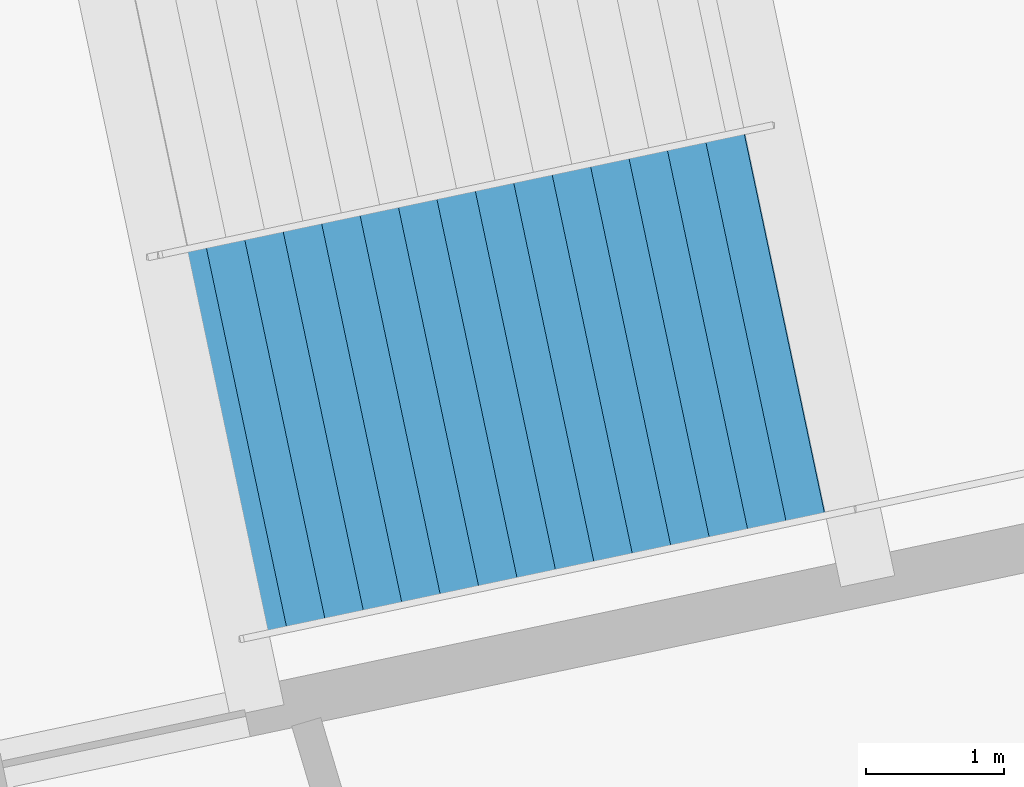
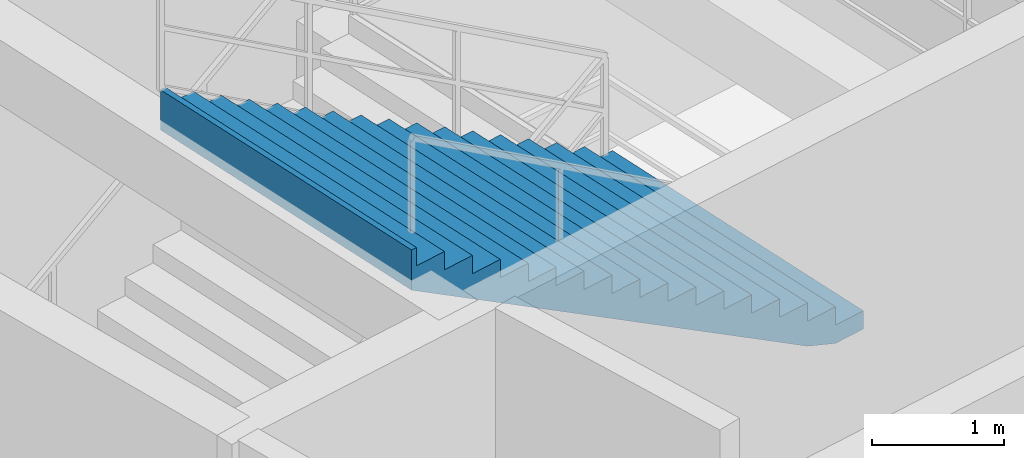
# One storey, part 25 of 48: 1 stair flight, 1 element without a shape of its own.
"""IFC4 building model written with IfcOpenShell, lengths in metres."""

from ifc_helpers import new_model, si_unit, direction, frame, origin, place, context, subcontext, project, spatial, polygons, material, type_object, element, aggregate, save


model = new_model("IFC4")

# Units and contexts
model_context = context("Model", 3, precision=1e-05, world=origin(), true_north=direction((0.0, 1.0)))
body_context = subcontext(model_context, "Body", "Model", "MODEL_VIEW")
ifc_project = project(units=[si_unit("LENGTHUNIT", "METRE"), si_unit("AREAUNIT", "SQUARE_METRE"), si_unit("VOLUMEUNIT", "CUBIC_METRE"), si_unit("PLANEANGLEUNIT", "RADIAN"), si_unit("MASSUNIT", "GRAM", prefix="KILO")], contexts=[model_context])

# Site, building, storey
site_placement = place(None, origin())
site = spatial("IfcSite", under=ifc_project, at=site_placement, CompositionType="ELEMENT")
building_placement = place(site_placement, origin())
building = spatial("IfcBuilding", under=site, at=building_placement, Name="Kazemori Nagisa Stadium", CompositionType="ELEMENT")
storey_placement = place(building_placement, origin())
storey = spatial("IfcBuildingStorey", under=building, at=storey_placement, Name="L00", CompositionType="ELEMENT", Elevation=0.0)

# Stair, stair flight
ifc_material = material(Name="Concrete C36/45 (Fc36)", Category="concrete")
stair_type = type_object("IfcStairType", Name="Stair_CORE_34", PredefinedType="TWO_STRAIGHT_RUN_STAIR", material=ifc_material)
stair_placement = place(storey_placement, origin())
stair = element("IfcStair", 1, at=stair_placement, inside=storey, type_object=stair_type, Name="Exit stair ST06 L00", PredefinedType="TWO_STRAIGHT_RUN_STAIR")
stair_flight_type = type_object("IfcStairFlightType", Name="Flight_CORE_17", PredefinedType="STRAIGHT", material=ifc_material)
stair_flight_placement = place(storey_placement, frame((151.171875, 23.125, 2.889892578125), z_axis=(0.0, 0.0, 1.0), x_axis=(-0.978343656901, -0.206987171104, 0.0)))
stair_flight = element("IfcStairFlight", 2, at=stair_flight_placement, type_object=stair_flight_type, Name="Exit stair ST06 L00 flight 2", NumberOfRisers=17, NumberOfTreads=16, PredefinedType="STRAIGHT", RiserHeight=0.17, TreadLength=0.285, context=body_context, shape_type="Tessellation", body=[
    polygons([(0.0, -1.425048828125, 0.0), (0.0, -1.425048828125, 0.169921875), (0.284912109375, -1.425048828125, 0.169921875), (0.284912109375, -1.425048828125, 0.340087890625), (0.570068359375, -1.425048828125, 0.340087890625), (0.570068359375, -1.425048828125, 0.510009765625), (0.85498046875, -1.425048828125, 0.510009765625), (0.85498046875, -1.425048828125, 0.679931640625), (1.139892578125, -1.425048828125, 0.679931640625), (1.139892578125, -1.425048828125, 0.85009765625), (1.425048828125, -1.425048828125, 0.85009765625), (1.425048828125, -1.425048828125, 1.02001953125), (1.7099609375, -1.425048828125, 1.02001953125), (1.7099609375, -1.425048828125, 1.18994140625), (1.9951171875, -1.425048828125, 1.18994140625), (1.9951171875, -1.425048828125, 1.360107421875), (2.280029296875, -1.425048828125, 1.360107421875), (2.280029296875, -1.425048828125, 1.530029296875), (2.56494140625, -1.425048828125, 1.530029296875), (2.56494140625, -1.425048828125, 1.699951171875), (2.85009765625, -1.425048828125, 1.699951171875), (2.85009765625, -1.425048828125, 1.8701171875), (3.135009765625, -1.425048828125, 1.8701171875), (3.135009765625, -1.425048828125, 2.0400390625), (3.419921875, -1.425048828125, 2.0400390625), (3.419921875, -1.425048828125, 2.2099609375), (3.705078125, -1.425048828125, 2.2099609375), (3.705078125, -1.425048828125, 2.3798828125), (3.989990234375, -1.425048828125, 2.3798828125), (3.989990234375, -1.425048828125, 2.550048828125), (4.27490234375, -1.425048828125, 2.550048828125), (4.27490234375, -1.425048828125, 2.719970703125), (4.56005859375, -1.425048828125, 2.719970703125), (4.56005859375, -1.425048828125, 2.889892578125), (4.610107421875, -1.425048828125, 2.889892578125), (4.610107421875, -1.425048828125, 2.51708984375), (4.56005859375, -1.425048828125, 2.487060546875), (4.27490234375, -1.425048828125, 2.317138671875), (3.989990234375, -1.425048828125, 2.147216796875), (3.705078125, -1.425048828125, 1.977294921875), (3.419921875, -1.425048828125, 1.80712890625), (3.135009765625, -1.425048828125, 1.63720703125), (2.85009765625, -1.425048828125, 1.46728515625), (2.56494140625, -1.425048828125, 1.297119140625), (2.280029296875, -1.425048828125, 1.127197265625), (1.9951171875, -1.425048828125, 0.957275390625), (1.7099609375, -1.425048828125, 0.787109375), (1.425048828125, -1.425048828125, 0.6171875), (1.139892578125, -1.425048828125, 0.447265625), (0.85498046875, -1.425048828125, 0.277099609375), (0.570068359375, -1.425048828125, 0.107177734375), (0.284912109375, -1.425048828125, 0.0), (0.0, -0.08544921875, 0.0), (0.0, -0.08544921875, 0.169921875), (0.284912109375, -0.08544921875, 0.169921875), (0.284912109375, -0.08544921875, 0.340087890625), (0.570068359375, -0.08544921875, 0.340087890625), (0.570068359375, -0.08544921875, 0.510009765625), (0.85498046875, -0.08544921875, 0.510009765625), (0.85498046875, -0.08544921875, 0.679931640625), (1.139892578125, -0.08544921875, 0.679931640625), (1.139892578125, -0.08544921875, 0.85009765625), (1.425048828125, -0.08544921875, 0.85009765625), (1.425048828125, -0.08544921875, 1.02001953125), (1.7099609375, -0.08544921875, 1.02001953125), (1.7099609375, -0.08544921875, 1.18994140625), (1.9951171875, -0.08544921875, 1.18994140625), (1.9951171875, -0.08544921875, 1.360107421875), (2.280029296875, -0.08544921875, 1.360107421875), (2.280029296875, -0.08544921875, 1.530029296875), (2.56494140625, -0.08544921875, 1.530029296875), (2.56494140625, -0.08544921875, 1.699951171875), (2.85009765625, -0.08544921875, 1.699951171875), (2.85009765625, -0.08544921875, 1.8701171875), (3.135009765625, -0.08544921875, 1.8701171875), (3.135009765625, -0.08544921875, 2.0400390625), (3.419921875, -0.08544921875, 2.0400390625), (3.419921875, -0.08544921875, 2.2099609375), (3.705078125, -0.08544921875, 2.2099609375), (3.705078125, -0.08544921875, 2.3798828125), (3.989990234375, -0.08544921875, 2.3798828125), (3.989990234375, -0.08544921875, 2.550048828125), (4.27490234375, -0.08544921875, 2.550048828125), (4.27490234375, -0.08544921875, 2.719970703125), (4.56005859375, -0.08544921875, 2.719970703125), (4.56005859375, -0.08544921875, 2.889892578125), (4.610107421875, -0.08544921875, 2.889892578125), (4.610107421875, -0.08544921875, 2.51708984375), (4.56005859375, -0.08544921875, 2.487060546875), (4.27490234375, -0.08544921875, 2.317138671875), (3.989990234375, -0.08544921875, 2.147216796875), (3.705078125, -0.08544921875, 1.977294921875), (3.419921875, -0.08544921875, 1.80712890625), (3.135009765625, -0.08544921875, 1.63720703125), (2.85009765625, -0.08544921875, 1.46728515625), (2.56494140625, -0.08544921875, 1.297119140625), (2.280029296875, -0.08544921875, 1.127197265625), (1.9951171875, -0.08544921875, 0.957275390625), (1.7099609375, -0.08544921875, 0.787109375), (1.425048828125, -0.08544921875, 0.6171875), (1.139892578125, -0.08544921875, 0.447265625), (0.85498046875, -0.08544921875, 0.277099609375), (0.570068359375, -0.08544921875, 0.107177734375), (0.284912109375, -0.08544921875, 0.0), (0.0, 0.0, 0.0), (0.0, 0.0, 0.169921875), (0.284912109375, 0.0, 0.169921875), (0.284912109375, 0.0, 0.340087890625), (0.570068359375, 0.0, 0.340087890625), (0.570068359375, 0.0, 0.510009765625), (0.85498046875, 0.0, 0.510009765625), (0.85498046875, 0.0, 0.679931640625), (1.139892578125, 0.0, 0.679931640625), (1.139892578125, 0.0, 0.85009765625), (1.425048828125, 0.0, 0.85009765625), (1.425048828125, 0.0, 1.02001953125), (1.7099609375, 0.0, 1.02001953125), (1.7099609375, 0.0, 1.18994140625), (1.9951171875, 0.0, 1.18994140625), (1.9951171875, 0.0, 1.360107421875), (2.280029296875, 0.0, 1.360107421875), (2.280029296875, 0.0, 1.530029296875), (2.56494140625, 0.0, 1.530029296875), (2.56494140625, 0.0, 1.699951171875), (2.85009765625, 0.0, 1.699951171875), (2.85009765625, 0.0, 1.8701171875), (3.135009765625, 0.0, 1.8701171875), (3.135009765625, 0.0, 2.0400390625), (3.419921875, 0.0, 2.0400390625), (3.419921875, 0.0, 2.2099609375), (3.705078125, 0.0, 2.2099609375), (3.705078125, 0.0, 2.3798828125), (3.989990234375, 0.0, 2.3798828125), (3.989990234375, 0.0, 2.550048828125), (4.27490234375, 0.0, 2.550048828125), (4.27490234375, 0.0, 2.719970703125), (4.56005859375, 0.0, 2.719970703125), (4.56005859375, 0.0, 2.889892578125), (4.610107421875, 0.0, 2.889892578125), (4.610107421875, 0.0, 2.51708984375), (4.56005859375, 0.0, 2.487060546875), (4.27490234375, 0.0, 2.317138671875), (3.989990234375, 0.0, 2.147216796875), (3.705078125, 0.0, 1.977294921875), (3.419921875, 0.0, 1.80712890625), (3.135009765625, 0.0, 1.63720703125), (2.85009765625, 0.0, 1.46728515625), (2.56494140625, 0.0, 1.297119140625), (2.280029296875, 0.0, 1.127197265625), (1.9951171875, 0.0, 0.957275390625), (1.7099609375, 0.0, 0.787109375), (1.425048828125, 0.0, 0.6171875), (1.139892578125, 0.0, 0.447265625), (0.85498046875, 0.0, 0.277099609375), (0.570068359375, 0.0, 0.107177734375), (0.284912109375, 0.0, 0.0), (0.0, 0.08544921875, 0.0), (0.0, 0.08544921875, 0.169921875), (0.284912109375, 0.08544921875, 0.169921875), (0.284912109375, 0.08544921875, 0.340087890625), (0.570068359375, 0.08544921875, 0.340087890625), (0.570068359375, 0.08544921875, 0.510009765625), (0.85498046875, 0.08544921875, 0.510009765625), (0.85498046875, 0.08544921875, 0.679931640625), (1.139892578125, 0.08544921875, 0.679931640625), (1.139892578125, 0.08544921875, 0.85009765625), (1.425048828125, 0.08544921875, 0.85009765625), (1.425048828125, 0.08544921875, 1.02001953125), (1.7099609375, 0.08544921875, 1.02001953125), (1.7099609375, 0.08544921875, 1.18994140625), (1.9951171875, 0.08544921875, 1.18994140625), (1.9951171875, 0.08544921875, 1.360107421875), (2.280029296875, 0.08544921875, 1.360107421875), (2.280029296875, 0.08544921875, 1.530029296875), (2.56494140625, 0.08544921875, 1.530029296875), (2.56494140625, 0.08544921875, 1.699951171875), (2.85009765625, 0.08544921875, 1.699951171875), (2.85009765625, 0.08544921875, 1.8701171875), (3.135009765625, 0.08544921875, 1.8701171875), (3.135009765625, 0.08544921875, 2.0400390625), (3.419921875, 0.08544921875, 2.0400390625), (3.419921875, 0.08544921875, 2.2099609375), (3.705078125, 0.08544921875, 2.2099609375), (3.705078125, 0.08544921875, 2.3798828125), (3.989990234375, 0.08544921875, 2.3798828125), (3.989990234375, 0.08544921875, 2.550048828125), (4.27490234375, 0.08544921875, 2.550048828125), (4.27490234375, 0.08544921875, 2.719970703125), (4.56005859375, 0.08544921875, 2.719970703125), (4.56005859375, 0.08544921875, 2.889892578125), (4.610107421875, 0.08544921875, 2.889892578125), (4.610107421875, 0.08544921875, 2.51708984375), (4.56005859375, 0.08544921875, 2.487060546875), (4.27490234375, 0.08544921875, 2.317138671875), (3.989990234375, 0.08544921875, 2.147216796875), (3.705078125, 0.08544921875, 1.977294921875), (3.419921875, 0.08544921875, 1.80712890625), (3.135009765625, 0.08544921875, 1.63720703125), (2.85009765625, 0.08544921875, 1.46728515625), (2.56494140625, 0.08544921875, 1.297119140625), (2.280029296875, 0.08544921875, 1.127197265625), (1.9951171875, 0.08544921875, 0.957275390625), (1.7099609375, 0.08544921875, 0.787109375), (1.425048828125, 0.08544921875, 0.6171875), (1.139892578125, 0.08544921875, 0.447265625), (0.85498046875, 0.08544921875, 0.277099609375), (0.570068359375, 0.08544921875, 0.107177734375), (0.284912109375, 0.08544921875, 0.0), (0.0, 1.425048828125, 0.0), (0.0, 1.425048828125, 0.169921875), (0.284912109375, 1.425048828125, 0.169921875), (0.284912109375, 1.425048828125, 0.340087890625), (0.570068359375, 1.425048828125, 0.340087890625), (0.570068359375, 1.425048828125, 0.510009765625), (0.85498046875, 1.425048828125, 0.510009765625), (0.85498046875, 1.425048828125, 0.679931640625), (1.139892578125, 1.425048828125, 0.679931640625), (1.139892578125, 1.425048828125, 0.85009765625), (1.425048828125, 1.425048828125, 0.85009765625), (1.425048828125, 1.425048828125, 1.02001953125), (1.7099609375, 1.425048828125, 1.02001953125), (1.7099609375, 1.425048828125, 1.18994140625), (1.9951171875, 1.425048828125, 1.18994140625), (1.9951171875, 1.425048828125, 1.360107421875), (2.280029296875, 1.425048828125, 1.360107421875), (2.280029296875, 1.425048828125, 1.530029296875), (2.56494140625, 1.425048828125, 1.530029296875), (2.56494140625, 1.425048828125, 1.699951171875), (2.85009765625, 1.425048828125, 1.699951171875), (2.85009765625, 1.425048828125, 1.8701171875), (3.135009765625, 1.425048828125, 1.8701171875), (3.135009765625, 1.425048828125, 2.0400390625), (3.419921875, 1.425048828125, 2.0400390625), (3.419921875, 1.425048828125, 2.2099609375), (3.705078125, 1.425048828125, 2.2099609375), (3.705078125, 1.425048828125, 2.3798828125), (3.989990234375, 1.425048828125, 2.3798828125), (3.989990234375, 1.425048828125, 2.550048828125), (4.27490234375, 1.425048828125, 2.550048828125), (4.27490234375, 1.425048828125, 2.719970703125), (4.56005859375, 1.425048828125, 2.719970703125), (4.56005859375, 1.425048828125, 2.889892578125), (4.610107421875, 1.425048828125, 2.889892578125), (4.610107421875, 1.425048828125, 2.51708984375), (4.56005859375, 1.425048828125, 2.487060546875), (4.27490234375, 1.425048828125, 2.317138671875), (3.989990234375, 1.425048828125, 2.147216796875), (3.705078125, 1.425048828125, 1.977294921875), (3.419921875, 1.425048828125, 1.80712890625), (3.135009765625, 1.425048828125, 1.63720703125), (2.85009765625, 1.425048828125, 1.46728515625), (2.56494140625, 1.425048828125, 1.297119140625), (2.280029296875, 1.425048828125, 1.127197265625), (1.9951171875, 1.425048828125, 0.957275390625), (1.7099609375, 1.425048828125, 0.787109375), (1.425048828125, 1.425048828125, 0.6171875), (1.139892578125, 1.425048828125, 0.447265625), (0.85498046875, 1.425048828125, 0.277099609375), (0.570068359375, 1.425048828125, 0.107177734375), (0.284912109375, 1.425048828125, 0.0)], [[[1, 2, 54]], [[1, 54, 53]], [[2, 3, 55]], [[2, 55, 54]], [[3, 4, 56]], [[3, 56, 55]], [[4, 5, 57]], [[4, 57, 56]], [[5, 6, 58]], [[5, 58, 57]], [[6, 7, 59]], [[6, 59, 58]], [[7, 8, 60]], [[7, 60, 59]], [[8, 9, 61]], [[8, 61, 60]], [[9, 10, 62]], [[9, 62, 61]], [[10, 11, 63]], [[10, 63, 62]], [[11, 12, 64]], [[11, 64, 63]], [[12, 13, 65]], [[12, 65, 64]], [[13, 14, 66]], [[13, 66, 65]], [[14, 15, 67]], [[14, 67, 66]], [[15, 16, 68]], [[15, 68, 67]], [[16, 17, 69]], [[16, 69, 68]], [[17, 18, 70]], [[17, 70, 69]], [[18, 19, 71]], [[18, 71, 70]], [[19, 20, 72]], [[19, 72, 71]], [[20, 21, 73]], [[20, 73, 72]], [[21, 22, 74]], [[21, 74, 73]], [[22, 23, 75]], [[22, 75, 74]], [[23, 24, 76]], [[23, 76, 75]], [[24, 25, 77]], [[24, 77, 76]], [[25, 26, 78]], [[25, 78, 77]], [[26, 27, 79]], [[26, 79, 78]], [[27, 28, 80]], [[27, 80, 79]], [[28, 29, 81]], [[28, 81, 80]], [[29, 30, 82]], [[29, 82, 81]], [[30, 31, 83]], [[30, 83, 82]], [[31, 32, 84]], [[31, 84, 83]], [[32, 33, 85]], [[32, 85, 84]], [[33, 34, 86]], [[33, 86, 85]], [[34, 35, 87]], [[34, 87, 86]], [[35, 36, 88]], [[35, 88, 87]], [[36, 37, 89]], [[36, 89, 88]], [[37, 38, 90]], [[37, 90, 89]], [[38, 39, 91]], [[38, 91, 90]], [[39, 40, 92]], [[39, 92, 91]], [[40, 41, 93]], [[40, 93, 92]], [[41, 42, 94]], [[41, 94, 93]], [[42, 43, 95]], [[42, 95, 94]], [[43, 44, 96]], [[43, 96, 95]], [[44, 45, 97]], [[44, 97, 96]], [[45, 46, 98]], [[45, 98, 97]], [[46, 47, 99]], [[46, 99, 98]], [[47, 48, 100]], [[47, 100, 99]], [[48, 49, 101]], [[48, 101, 100]], [[49, 50, 102]], [[49, 102, 101]], [[50, 51, 103]], [[50, 103, 102]], [[51, 52, 104]], [[51, 104, 103]], [[52, 1, 53]], [[52, 53, 104]], [[53, 54, 106]], [[53, 106, 105]], [[54, 55, 107]], [[54, 107, 106]], [[55, 56, 108]], [[55, 108, 107]], [[56, 57, 109]], [[56, 109, 108]], [[57, 58, 110]], [[57, 110, 109]], [[58, 59, 111]], [[58, 111, 110]], [[59, 60, 112]], [[59, 112, 111]], [[60, 61, 113]], [[60, 113, 112]], [[61, 62, 114]], [[61, 114, 113]], [[62, 63, 115]], [[62, 115, 114]], [[63, 64, 116]], [[63, 116, 115]], [[64, 65, 117]], [[64, 117, 116]], [[65, 66, 118]], [[65, 118, 117]], [[66, 67, 119]], [[66, 119, 118]], [[67, 68, 120]], [[67, 120, 119]], [[68, 69, 121]], [[68, 121, 120]], [[69, 70, 122]], [[69, 122, 121]], [[70, 71, 123]], [[70, 123, 122]], [[71, 72, 124]], [[71, 124, 123]], [[72, 73, 125]], [[72, 125, 124]], [[73, 74, 126]], [[73, 126, 125]], [[74, 75, 127]], [[74, 127, 126]], [[75, 76, 128]], [[75, 128, 127]], [[76, 77, 129]], [[76, 129, 128]], [[77, 78, 130]], [[77, 130, 129]], [[78, 79, 131]], [[78, 131, 130]], [[79, 80, 132]], [[79, 132, 131]], [[80, 81, 133]], [[80, 133, 132]], [[81, 82, 134]], [[81, 134, 133]], [[82, 83, 135]], [[82, 135, 134]], [[83, 84, 136]], [[83, 136, 135]], [[84, 85, 137]], [[84, 137, 136]], [[85, 86, 138]], [[85, 138, 137]], [[86, 87, 139]], [[86, 139, 138]], [[87, 88, 140]], [[87, 140, 139]], [[88, 89, 141]], [[88, 141, 140]], [[89, 90, 142]], [[89, 142, 141]], [[90, 91, 143]], [[90, 143, 142]], [[91, 92, 144]], [[91, 144, 143]], [[92, 93, 145]], [[92, 145, 144]], [[93, 94, 146]], [[93, 146, 145]], [[94, 95, 147]], [[94, 147, 146]], [[95, 96, 148]], [[95, 148, 147]], [[96, 97, 149]], [[96, 149, 148]], [[97, 98, 150]], [[97, 150, 149]], [[98, 99, 151]], [[98, 151, 150]], [[99, 100, 152]], [[99, 152, 151]], [[100, 101, 153]], [[100, 153, 152]], [[101, 102, 154]], [[101, 154, 153]], [[102, 103, 155]], [[102, 155, 154]], [[103, 104, 156]], [[103, 156, 155]], [[104, 53, 105]], [[104, 105, 156]], [[105, 106, 158]], [[105, 158, 157]], [[106, 107, 159]], [[106, 159, 158]], [[107, 108, 160]], [[107, 160, 159]], [[108, 109, 161]], [[108, 161, 160]], [[109, 110, 162]], [[109, 162, 161]], [[110, 111, 163]], [[110, 163, 162]], [[111, 112, 164]], [[111, 164, 163]], [[112, 113, 165]], [[112, 165, 164]], [[113, 114, 166]], [[113, 166, 165]], [[114, 115, 167]], [[114, 167, 166]], [[115, 116, 168]], [[115, 168, 167]], [[116, 117, 169]], [[116, 169, 168]], [[117, 118, 170]], [[117, 170, 169]], [[118, 119, 171]], [[118, 171, 170]], [[119, 120, 172]], [[119, 172, 171]], [[120, 121, 173]], [[120, 173, 172]], [[121, 122, 174]], [[121, 174, 173]], [[122, 123, 175]], [[122, 175, 174]], [[123, 124, 176]], [[123, 176, 175]], [[124, 125, 177]], [[124, 177, 176]], [[125, 126, 178]], [[125, 178, 177]], [[126, 127, 179]], [[126, 179, 178]], [[127, 128, 180]], [[127, 180, 179]], [[128, 129, 181]], [[128, 181, 180]], [[129, 130, 182]], [[129, 182, 181]], [[130, 131, 183]], [[130, 183, 182]], [[131, 132, 184]], [[131, 184, 183]], [[132, 133, 185]], [[132, 185, 184]], [[133, 134, 186]], [[133, 186, 185]], [[134, 135, 187]], [[134, 187, 186]], [[135, 136, 188]], [[135, 188, 187]], [[136, 137, 189]], [[136, 189, 188]], [[137, 138, 190]], [[137, 190, 189]], [[138, 139, 191]], [[138, 191, 190]], [[139, 140, 192]], [[139, 192, 191]], [[140, 141, 193]], [[140, 193, 192]], [[141, 142, 194]], [[141, 194, 193]], [[142, 143, 195]], [[142, 195, 194]], [[143, 144, 196]], [[143, 196, 195]], [[144, 145, 197]], [[144, 197, 196]], [[145, 146, 198]], [[145, 198, 197]], [[146, 147, 199]], [[146, 199, 198]], [[147, 148, 200]], [[147, 200, 199]], [[148, 149, 201]], [[148, 201, 200]], [[149, 150, 202]], [[149, 202, 201]], [[150, 151, 203]], [[150, 203, 202]], [[151, 152, 204]], [[151, 204, 203]], [[152, 153, 205]], [[152, 205, 204]], [[153, 154, 206]], [[153, 206, 205]], [[154, 155, 207]], [[154, 207, 206]], [[155, 156, 208]], [[155, 208, 207]], [[156, 105, 157]], [[156, 157, 208]], [[157, 158, 210]], [[157, 210, 209]], [[158, 159, 211]], [[158, 211, 210]], [[159, 160, 212]], [[159, 212, 211]], [[160, 161, 213]], [[160, 213, 212]], [[161, 162, 214]], [[161, 214, 213]], [[162, 163, 215]], [[162, 215, 214]], [[163, 164, 216]], [[163, 216, 215]], [[164, 165, 217]], [[164, 217, 216]], [[165, 166, 218]], [[165, 218, 217]], [[166, 167, 219]], [[166, 219, 218]], [[167, 168, 220]], [[167, 220, 219]], [[168, 169, 221]], [[168, 221, 220]], [[169, 170, 222]], [[169, 222, 221]], [[170, 171, 223]], [[170, 223, 222]], [[171, 172, 224]], [[171, 224, 223]], [[172, 173, 225]], [[172, 225, 224]], [[173, 174, 226]], [[173, 226, 225]], [[174, 175, 227]], [[174, 227, 226]], [[175, 176, 228]], [[175, 228, 227]], [[176, 177, 229]], [[176, 229, 228]], [[177, 178, 230]], [[177, 230, 229]], [[178, 179, 231]], [[178, 231, 230]], [[179, 180, 232]], [[179, 232, 231]], [[180, 181, 233]], [[180, 233, 232]], [[181, 182, 234]], [[181, 234, 233]], [[182, 183, 235]], [[182, 235, 234]], [[183, 184, 236]], [[183, 236, 235]], [[184, 185, 237]], [[184, 237, 236]], [[185, 186, 238]], [[185, 238, 237]], [[186, 187, 239]], [[186, 239, 238]], [[187, 188, 240]], [[187, 240, 239]], [[188, 189, 241]], [[188, 241, 240]], [[189, 190, 242]], [[189, 242, 241]], [[190, 191, 243]], [[190, 243, 242]], [[191, 192, 244]], [[191, 244, 243]], [[192, 193, 245]], [[192, 245, 244]], [[193, 194, 246]], [[193, 246, 245]], [[194, 195, 247]], [[194, 247, 246]], [[195, 196, 248]], [[195, 248, 247]], [[196, 197, 249]], [[196, 249, 248]], [[197, 198, 250]], [[197, 250, 249]], [[198, 199, 251]], [[198, 251, 250]], [[199, 200, 252]], [[199, 252, 251]], [[200, 201, 253]], [[200, 253, 252]], [[201, 202, 254]], [[201, 254, 253]], [[202, 203, 255]], [[202, 255, 254]], [[203, 204, 256]], [[203, 256, 255]], [[204, 205, 257]], [[204, 257, 256]], [[205, 206, 258]], [[205, 258, 257]], [[206, 207, 259]], [[206, 259, 258]], [[207, 208, 260]], [[207, 260, 259]], [[208, 157, 209]], [[208, 209, 260]], [[3, 2, 1]], [[209, 210, 211]], [[52, 3, 1]], [[209, 211, 260]], [[51, 3, 52]], [[260, 211, 259]], [[5, 3, 51]], [[259, 211, 213]], [[5, 4, 3]], [[211, 212, 213]], [[50, 5, 51]], [[259, 213, 258]], [[7, 5, 50]], [[258, 213, 215]], [[7, 6, 5]], [[213, 214, 215]], [[49, 7, 50]], [[258, 215, 257]], [[9, 7, 49]], [[257, 215, 217]], [[9, 8, 7]], [[215, 216, 217]], [[48, 9, 49]], [[257, 217, 256]], [[11, 9, 48]], [[256, 217, 219]], [[11, 10, 9]], [[217, 218, 219]], [[47, 11, 48]], [[256, 219, 255]], [[13, 11, 47]], [[255, 219, 221]], [[13, 12, 11]], [[219, 220, 221]], [[46, 13, 47]], [[255, 221, 254]], [[15, 13, 46]], [[254, 221, 223]], [[15, 14, 13]], [[221, 222, 223]], [[45, 15, 46]], [[254, 223, 253]], [[17, 15, 45]], [[253, 223, 225]], [[17, 16, 15]], [[223, 224, 225]], [[44, 17, 45]], [[253, 225, 252]], [[19, 17, 44]], [[252, 225, 227]], [[19, 18, 17]], [[225, 226, 227]], [[43, 19, 44]], [[252, 227, 251]], [[21, 19, 43]], [[251, 227, 229]], [[21, 20, 19]], [[227, 228, 229]], [[42, 21, 43]], [[251, 229, 250]], [[23, 21, 42]], [[250, 229, 231]], [[23, 22, 21]], [[229, 230, 231]], [[41, 23, 42]], [[250, 231, 249]], [[25, 23, 41]], [[249, 231, 233]], [[25, 24, 23]], [[231, 232, 233]], [[40, 25, 41]], [[249, 233, 248]], [[27, 25, 40]], [[248, 233, 235]], [[27, 26, 25]], [[233, 234, 235]], [[39, 27, 40]], [[248, 235, 247]], [[29, 27, 39]], [[247, 235, 237]], [[29, 28, 27]], [[235, 236, 237]], [[38, 29, 39]], [[247, 237, 246]], [[31, 29, 38]], [[246, 237, 239]], [[31, 30, 29]], [[237, 238, 239]], [[37, 31, 38]], [[246, 239, 245]], [[33, 31, 37]], [[245, 239, 241]], [[33, 32, 31]], [[239, 240, 241]], [[36, 33, 37]], [[245, 241, 244]], [[35, 33, 36]], [[244, 241, 243]], [[35, 34, 33]], [[241, 242, 243]]], closed=True),
])
aggregate(stair, [stair_flight])

save(model, "model.ifc")
